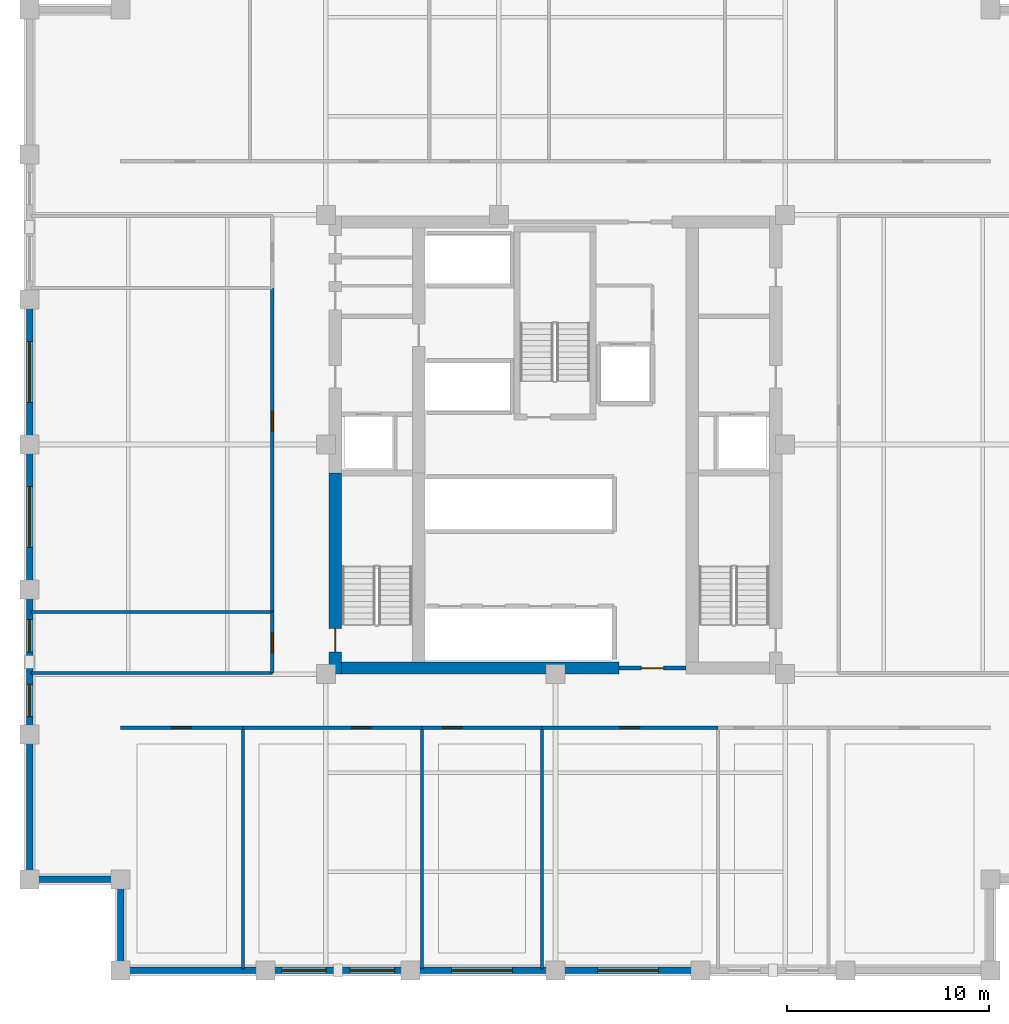
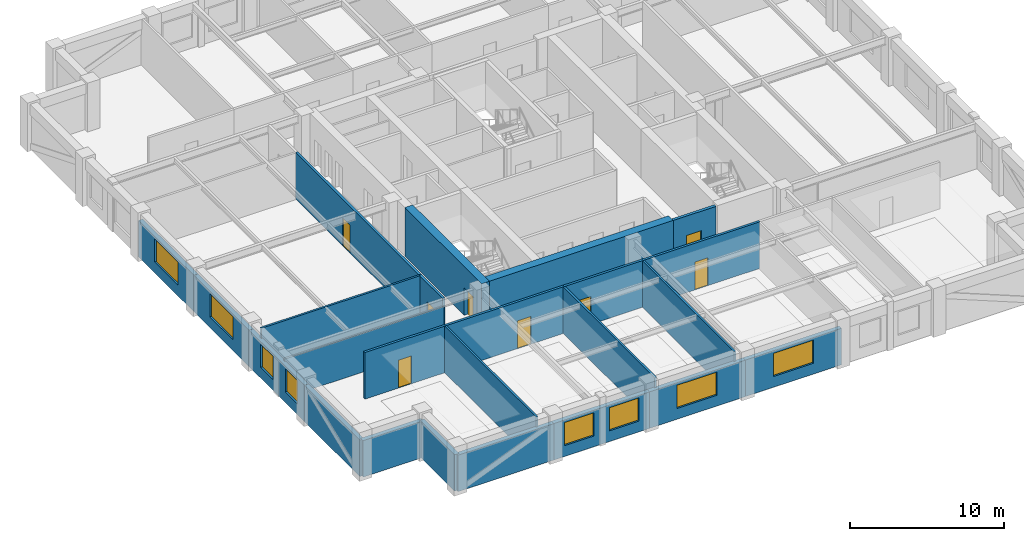
# One storey, part 2 of 9: 24 walls, 8 doors, 8 windows, 16 openings.
"""IFC4 building model written with IfcOpenShell, lengths in metres."""

from ifc_helpers import new_model, si_unit, direction, frame, frame_2d, origin, place, context, subcontext, project, spatial, rectangle, extrude, material, layer, layer_set, type_object, element, fill, save


model = new_model("IFC4")

# Units and contexts
model_context = context("Model", 3, precision=1e-05, world=origin(), true_north=direction((0.0, 1.0)))
body_context = subcontext(model_context, "Body", "Model", "MODEL_VIEW")
ifc_project = project(units=[si_unit("LENGTHUNIT", "METRE"), si_unit("AREAUNIT", "SQUARE_METRE"), si_unit("VOLUMEUNIT", "CUBIC_METRE"), si_unit("PLANEANGLEUNIT", "RADIAN"), si_unit("MASSUNIT", "GRAM", prefix="KILO")], contexts=[model_context])

# Site, building, storey
site_placement = place(None, origin())
site = spatial("IfcSite", under=ifc_project, at=site_placement, CompositionType="ELEMENT")
building_placement = place(site_placement, origin())
building = spatial("IfcBuilding", under=site, at=building_placement, Name="Nhamokura Convention Tower", CompositionType="ELEMENT")
storey_placement = place(building_placement, frame((0.0, 0.0, 122.14990234375)))
storey = spatial("IfcBuildingStorey", under=building, at=storey_placement, Name="L29", CompositionType="ELEMENT", Elevation=122.14990234375)

# Wall
ifc_material_1 = material(Name="Bronze-pigmented precast concrete C45/55", Category="concrete")
ifc_layer_1 = layer(ifc_material_1, 0.320068359375)
ifc_layer_set_1 = layer_set([ifc_layer_1], Name="BronzePrecastSpandrel_320")
wall_type_1 = type_object("IfcWallType", Name="BronzePrecastSpandrel_320", PredefinedType="USERDEFINED", material=ifc_layer_set_1)
wall_1_placement = place(storey_placement, frame((17.666748046875, 6.0, 0.0), z_axis=(0.0, 0.0, 1.0), x_axis=(-1.0, 0.0, 0.0)))
element("IfcWall", 1, at=wall_1_placement, inside=storey, type_object=wall_type_1, Name="L29 Braced-Bay Precast Wall SOUTH 0", ObjectType="SPANDREL_WALL", PredefinedType="USERDEFINED", context=body_context, shape_type="SweptSolid", body=[
    extrude(rectangle(XDim=7.166748046875, YDim=0.320068359375, at=frame_2d((3.58349609375, 0.0))), origin(), (0.0, 0.0, 1.0), 2.885009765625),
])

# Wall, openings, windows
wall_2_placement = place(storey_placement, frame((24.833251953125, 6.0, 0.0), z_axis=(0.0, 0.0, 1.0), x_axis=(-1.0, 0.0, 0.0)))
wall_2 = element("IfcWall", 2, at=wall_2_placement, inside=storey, type_object=wall_type_1, Name="L29 Masonry-Frame Wall SOUTH 1", ObjectType="SPANDREL_WALL", PredefinedType="USERDEFINED", context=body_context, shape_type="SweptSolid", body=[
    extrude(rectangle(XDim=7.16650390625, YDim=0.320068359375, at=frame_2d((3.583251953125, 0.0))), origin(), (0.0, 0.0, 1.0), 2.885009765625),
])
opening_1_placement = place(wall_2_placement, frame((0.791748046875, 0.0, 0.85009765625)))
opening_1 = element("IfcOpeningElement", 3, at=opening_1_placement, cuts=wall_2, Name="Opening W-06", PredefinedType="OPENING", context=body_context, shape_type="SweptSolid", body=[
    extrude(rectangle(XDim=2.199951171875, YDim=1.8349609375, at=frame_2d((1.10009765625, 0.91748046875))), frame((0.0, 0.169921875, 0.0), z_axis=(0.0, -1.0, 0.0), x_axis=(1.0, 0.0, 0.0)), (0.0, 0.0, 1.0), 0.340087890625),
])
opening_2_placement = place(wall_2_placement, frame((4.175048828125, 0.0, 0.85009765625)))
opening_2 = element("IfcOpeningElement", 4, at=opening_2_placement, cuts=wall_2, Name="Opening W-06", PredefinedType="OPENING", context=body_context, shape_type="SweptSolid", body=[
    extrude(rectangle(XDim=2.199951171875, YDim=1.8349609375, at=frame_2d((1.10009765625, 0.91748046875))), frame((0.0, 0.169921875, 0.0), z_axis=(0.0, -1.0, 0.0), x_axis=(1.0, 0.0, 0.0)), (0.0, 0.0, 1.0), 0.340087890625),
])
ifc_material_2 = material(Name="Solar-control bronze low-E double glass", Category="glass")
window_type_1 = type_object("IfcWindowType", Name="OfficeModuleWindow_Z2_2200", PartitioningType="SINGLE_PANEL", PredefinedType="WINDOW", material=ifc_material_2)
window_1_placement = place(opening_1_placement, origin())
window_1 = element("IfcWindow", 5, at=window_1_placement, inside=storey, type_object=window_type_1, Name="L29 Facade Window SOUTH 1-1", OverallHeight=1.8349609375, OverallWidth=2.199951171875, PartitioningType="SINGLE_PANEL", PredefinedType="WINDOW", context=body_context, shape_type="SweptSolid", body=[
    extrude(rectangle(XDim=2.199951171875, YDim=1.8349609375, at=frame_2d((1.10009765625, 0.91748046875))), frame((0.0, 0.030029296875, 0.0), z_axis=(0.0, -1.0, 0.0), x_axis=(1.0, 0.0, 0.0)), (0.0, 0.0, 1.0), 0.06005859375),
])
fill(opening_1, window_1)
window_2_placement = place(opening_2_placement, origin())
window_2 = element("IfcWindow", 6, at=window_2_placement, inside=storey, type_object=window_type_1, Name="L29 Facade Window SOUTH 1-2", OverallHeight=1.8349609375, OverallWidth=2.199951171875, PartitioningType="SINGLE_PANEL", PredefinedType="WINDOW", context=body_context, shape_type="SweptSolid", body=[
    extrude(rectangle(XDim=2.199951171875, YDim=1.8349609375, at=frame_2d((1.10009765625, 0.91748046875))), frame((0.0, 0.030029296875, 0.0), z_axis=(0.0, -1.0, 0.0), x_axis=(1.0, 0.0, 0.0)), (0.0, 0.0, 1.0), 0.06005859375),
])
fill(opening_2, window_2)

# Wall, opening, window
wall_3_placement = place(storey_placement, frame((32.0, 6.0, 0.0), z_axis=(0.0, 0.0, 1.0), x_axis=(-1.0, 0.0, 0.0)))
wall_3 = element("IfcWall", 7, at=wall_3_placement, inside=storey, type_object=wall_type_1, Name="L29 Masonry-Frame Wall SOUTH 2", ObjectType="SPANDREL_WALL", PredefinedType="USERDEFINED", context=body_context, shape_type="SweptSolid", body=[
    extrude(rectangle(XDim=7.166748046875, YDim=0.320068359375, at=frame_2d((3.58349609375, 0.0))), origin(), (0.0, 0.0, 1.0), 2.885009765625),
])
opening_3_placement = place(wall_3_placement, frame((2.13330078125, 0.0, 0.85009765625)))
opening_3 = element("IfcOpeningElement", 8, at=opening_3_placement, cuts=wall_3, Name="Opening W-05", PredefinedType="OPENING", context=body_context, shape_type="SweptSolid", body=[
    extrude(rectangle(XDim=3.0, YDim=1.8349609375, at=frame_2d((1.5, 0.91748046875))), frame((0.0, 0.169921875, 0.0), z_axis=(0.0, -1.0, 0.0), x_axis=(1.0, 0.0, 0.0)), (0.0, 0.0, 1.0), 0.340087890625),
])
ifc_material_3 = material(Name="Solar-control bronze low-E double glass", Category="glass")
window_type_2 = type_object("IfcWindowType", Name="OfficeModuleWindow_Z2_3000", PartitioningType="DOUBLE_PANEL_VERTICAL", PredefinedType="WINDOW", material=ifc_material_3)
window_3_placement = place(opening_3_placement, origin())
window_3 = element("IfcWindow", 9, at=window_3_placement, inside=storey, type_object=window_type_2, Name="L29 Facade Window SOUTH 2", OverallHeight=1.8349609375, OverallWidth=3.0, PartitioningType="SINGLE_PANEL", PredefinedType="WINDOW", context=body_context, shape_type="SweptSolid", body=[
    extrude(rectangle(XDim=3.0, YDim=1.8349609375, at=frame_2d((1.5, 0.91748046875))), frame((0.0, 0.030029296875, 0.0), z_axis=(0.0, -1.0, 0.0), x_axis=(1.0, 0.0, 0.0)), (0.0, 0.0, 1.0), 0.06005859375),
])
fill(opening_3, window_3)

wall_4_placement = place(storey_placement, frame((39.166748046875, 6.0, 0.0), z_axis=(0.0, 0.0, 1.0), x_axis=(-1.0, 0.0, 0.0)))
wall_4 = element("IfcWall", 10, at=wall_4_placement, inside=storey, type_object=wall_type_1, Name="L29 Masonry-Frame Wall SOUTH 3", ObjectType="SPANDREL_WALL", PredefinedType="USERDEFINED", context=body_context, shape_type="SweptSolid", body=[
    extrude(rectangle(XDim=7.166748046875, YDim=0.320068359375, at=frame_2d((3.58349609375, 0.0))), origin(), (0.0, 0.0, 1.0), 2.885009765625),
])
opening_4_placement = place(wall_4_placement, frame((2.083251953125, 0.0, 0.85009765625)))
opening_4 = element("IfcOpeningElement", 11, at=opening_4_placement, cuts=wall_4, Name="Opening W-05", PredefinedType="OPENING", context=body_context, shape_type="SweptSolid", body=[
    extrude(rectangle(XDim=3.0, YDim=1.8349609375, at=frame_2d((1.5, 0.91748046875))), frame((0.0, 0.169921875, 0.0), z_axis=(0.0, -1.0, 0.0), x_axis=(1.0, 0.0, 0.0)), (0.0, 0.0, 1.0), 0.340087890625),
])
window_4_placement = place(opening_4_placement, origin())
window_4 = element("IfcWindow", 12, at=window_4_placement, inside=storey, type_object=window_type_2, Name="L29 Facade Window SOUTH 3", OverallHeight=1.8349609375, OverallWidth=3.0, PartitioningType="SINGLE_PANEL", PredefinedType="WINDOW", context=body_context, shape_type="SweptSolid", body=[
    extrude(rectangle(XDim=3.0, YDim=1.8349609375, at=frame_2d((1.5, 0.91748046875))), frame((0.0, 0.030029296875, 0.0), z_axis=(0.0, -1.0, 0.0), x_axis=(1.0, 0.0, 0.0)), (0.0, 0.0, 1.0), 0.06005859375),
])
fill(opening_4, window_4)

# Wall
wall_5_placement = place(storey_placement, frame((6.0, 10.5, 0.0), z_axis=(0.0, 0.0, 1.0), x_axis=(0.0, 1.0, 0.0)))
element("IfcWall", 13, at=wall_5_placement, inside=storey, type_object=wall_type_1, Name="L29 Braced-Bay Precast Wall WEST 0", ObjectType="SPANDREL_WALL", PredefinedType="USERDEFINED", context=body_context, shape_type="SweptSolid", body=[
    extrude(rectangle(XDim=7.166748046875, YDim=0.320068359375, at=frame_2d((3.58349609375, 0.0))), origin(), (0.0, 0.0, 1.0), 2.885009765625),
])

# Wall, openings, windows
wall_6_placement = place(storey_placement, frame((6.0, 17.666748046875, 0.0), z_axis=(0.0, 0.0, 1.0), x_axis=(0.0, 1.0, 0.0)))
wall_6 = element("IfcWall", 14, at=wall_6_placement, inside=storey, type_object=wall_type_1, Name="L29 Masonry-Frame Wall WEST 1", ObjectType="SPANDREL_WALL", PredefinedType="USERDEFINED", context=body_context, shape_type="SweptSolid", body=[
    extrude(rectangle(XDim=7.16650390625, YDim=0.320068359375, at=frame_2d((3.583251953125, 0.0))), origin(), (0.0, 0.0, 1.0), 2.885009765625),
])
opening_5_placement = place(wall_6_placement, frame((0.879150390625, 0.0, 0.85009765625)))
opening_5 = element("IfcOpeningElement", 15, at=opening_5_placement, cuts=wall_6, Name="Opening W-11", PredefinedType="OPENING", context=body_context, shape_type="SweptSolid", body=[
    extrude(rectangle(XDim=1.60009765625, YDim=1.8349609375, at=frame_2d((0.800048828125, 0.91748046875))), frame((0.0, 0.169921875, 0.0), z_axis=(0.0, -1.0, 0.0), x_axis=(1.0, 0.0, 0.0)), (0.0, 0.0, 1.0), 0.340087890625),
])
opening_6_placement = place(wall_6_placement, frame((4.074951171875, 0.0, 0.85009765625)))
opening_6 = element("IfcOpeningElement", 16, at=opening_6_placement, cuts=wall_6, Name="Opening W-11", PredefinedType="OPENING", context=body_context, shape_type="SweptSolid", body=[
    extrude(rectangle(XDim=1.60009765625, YDim=1.8349609375, at=frame_2d((0.800048828125, 0.91748046875))), frame((0.0, 0.169921875, 0.0), z_axis=(0.0, -1.0, 0.0), x_axis=(1.0, 0.0, 0.0)), (0.0, 0.0, 1.0), 0.340087890625),
])
ifc_material_4 = material(Name="Solar-control bronze low-E double glass", Category="glass")
window_type_3 = type_object("IfcWindowType", Name="NotchCornerWindow_1600", PartitioningType="SINGLE_PANEL", PredefinedType="WINDOW", material=ifc_material_4)
window_5_placement = place(opening_5_placement, origin())
window_5 = element("IfcWindow", 17, at=window_5_placement, inside=storey, type_object=window_type_3, Name="L29 Facade Window WEST 1-1", OverallHeight=1.8349609375, OverallWidth=1.60009765625, PartitioningType="SINGLE_PANEL", PredefinedType="WINDOW", context=body_context, shape_type="SweptSolid", body=[
    extrude(rectangle(XDim=1.60009765625, YDim=1.8349609375, at=frame_2d((0.800048828125, 0.91748046875))), frame((0.0, 0.030029296875, 0.0), z_axis=(0.0, -1.0, 0.0), x_axis=(1.0, 0.0, 0.0)), (0.0, 0.0, 1.0), 0.06005859375),
])
fill(opening_5, window_5)
window_6_placement = place(opening_6_placement, origin())
window_6 = element("IfcWindow", 18, at=window_6_placement, inside=storey, type_object=window_type_3, Name="L29 Facade Window WEST 1-2", OverallHeight=1.8349609375, OverallWidth=1.60009765625, PartitioningType="SINGLE_PANEL", PredefinedType="WINDOW", context=body_context, shape_type="SweptSolid", body=[
    extrude(rectangle(XDim=1.60009765625, YDim=1.8349609375, at=frame_2d((0.800048828125, 0.91748046875))), frame((0.0, 0.030029296875, 0.0), z_axis=(0.0, -1.0, 0.0), x_axis=(1.0, 0.0, 0.0)), (0.0, 0.0, 1.0), 0.06005859375),
])
fill(opening_6, window_6)

# Wall, opening, window
wall_7_placement = place(storey_placement, frame((6.0, 24.833251953125, 0.0), z_axis=(0.0, 0.0, 1.0), x_axis=(0.0, 1.0, 0.0)))
wall_7 = element("IfcWall", 19, at=wall_7_placement, inside=storey, type_object=wall_type_1, Name="L29 Masonry-Frame Wall WEST 2", ObjectType="SPANDREL_WALL", PredefinedType="USERDEFINED", context=body_context, shape_type="SweptSolid", body=[
    extrude(rectangle(XDim=7.166748046875, YDim=0.320068359375, at=frame_2d((3.58349609375, 0.0))), origin(), (0.0, 0.0, 1.0), 2.885009765625),
])
opening_7_placement = place(wall_7_placement, frame((2.083251953125, 0.0, 0.85009765625)))
opening_7 = element("IfcOpeningElement", 20, at=opening_7_placement, cuts=wall_7, Name="Opening W-05", PredefinedType="OPENING", context=body_context, shape_type="SweptSolid", body=[
    extrude(rectangle(XDim=3.0, YDim=1.8349609375, at=frame_2d((1.5, 0.91748046875))), frame((0.0, 0.169921875, 0.0), z_axis=(0.0, -1.0, 0.0), x_axis=(1.0, 0.0, 0.0)), (0.0, 0.0, 1.0), 0.340087890625),
])
window_7_placement = place(opening_7_placement, origin())
window_7 = element("IfcWindow", 21, at=window_7_placement, inside=storey, type_object=window_type_2, Name="L29 Facade Window WEST 2", OverallHeight=1.8349609375, OverallWidth=3.0, PartitioningType="SINGLE_PANEL", PredefinedType="WINDOW", context=body_context, shape_type="SweptSolid", body=[
    extrude(rectangle(XDim=3.0, YDim=1.8349609375, at=frame_2d((1.5, 0.91748046875))), frame((0.0, 0.030029296875, 0.0), z_axis=(0.0, -1.0, 0.0), x_axis=(1.0, 0.0, 0.0)), (0.0, 0.0, 1.0), 0.06005859375),
])
fill(opening_7, window_7)

wall_8_placement = place(storey_placement, frame((6.0, 32.0, 0.0), z_axis=(0.0, 0.0, 1.0), x_axis=(0.0, 1.0, 0.0)))
wall_8 = element("IfcWall", 22, at=wall_8_placement, inside=storey, type_object=wall_type_1, Name="L29 Masonry-Frame Wall WEST 3", ObjectType="SPANDREL_WALL", PredefinedType="USERDEFINED", context=body_context, shape_type="SweptSolid", body=[
    extrude(rectangle(XDim=7.166748046875, YDim=0.320068359375, at=frame_2d((3.58349609375, 0.0))), origin(), (0.0, 0.0, 1.0), 2.885009765625),
])
opening_8_placement = place(wall_8_placement, frame((2.083251953125, 0.0, 0.85009765625)))
opening_8 = element("IfcOpeningElement", 23, at=opening_8_placement, cuts=wall_8, Name="Opening W-05", PredefinedType="OPENING", context=body_context, shape_type="SweptSolid", body=[
    extrude(rectangle(XDim=3.0, YDim=1.8349609375, at=frame_2d((1.5, 0.91748046875))), frame((0.0, 0.169921875, 0.0), z_axis=(0.0, -1.0, 0.0), x_axis=(1.0, 0.0, 0.0)), (0.0, 0.0, 1.0), 0.340087890625),
])
window_8_placement = place(opening_8_placement, origin())
window_8 = element("IfcWindow", 24, at=window_8_placement, inside=storey, type_object=window_type_2, Name="L29 Facade Window WEST 3", OverallHeight=1.8349609375, OverallWidth=3.0, PartitioningType="SINGLE_PANEL", PredefinedType="WINDOW", context=body_context, shape_type="SweptSolid", body=[
    extrude(rectangle(XDim=3.0, YDim=1.8349609375, at=frame_2d((1.5, 0.91748046875))), frame((0.0, 0.030029296875, 0.0), z_axis=(0.0, -1.0, 0.0), x_axis=(1.0, 0.0, 0.0)), (0.0, 0.0, 1.0), 0.06005859375),
])
fill(opening_8, window_8)

# Walls
for number, where, z_axis, x_axis, name in (
    (25, (10.5, 6.0, 0.0), (0.0, 0.0, 1.0), (0.0, 1.0, 0.0), "L29 Notched Corner Wall SW1"),
    (26, (10.5, 10.5, 0.0), (0.0, 0.0, 1.0), (-1.0, 0.0, 0.0), "L29 Notched Corner Wall SW2"),
):
    element("IfcWall", number, at=place(storey_placement, frame(where, z_axis=z_axis, x_axis=x_axis)), inside=storey, type_object=wall_type_1, Name=name, ObjectType="SPANDREL_WALL", PredefinedType="USERDEFINED", context=body_context, shape_type="SweptSolid", body=[
        extrude(rectangle(XDim=4.5, YDim=0.320068359375, at=frame_2d((2.25, 0.0))), origin(), (0.0, 0.0, 1.0), 2.885009765625),
    ])

# Wall, opening, door
ifc_material_5 = material(Name="Concrete C60/75", Category="concrete")
ifc_layer_2 = layer(ifc_material_5, 0.60009765625)
ifc_layer_set_2 = layer_set([ifc_layer_2], Name="CoreShearWall_600")
wall_type_2 = type_object("IfcWallType", Name="CoreShearWall_600", PredefinedType="SHEAR", material=ifc_layer_set_2)
wall_9_placement = place(storey_placement, frame((21.110107421875, 20.64990234375, 0.0), z_axis=(0.0, 0.0, 1.0), x_axis=(0.0, 1.0, 0.0)))
wall_9 = element("IfcWall", 27, at=wall_9_placement, inside=storey, type_object=wall_type_2, Name="L29 Core Shear Wall CW-WS", PredefinedType="SHEAR", context=body_context, shape_type="SweptSolid", body=[
    extrude(rectangle(XDim=9.9501953125, YDim=0.60009765625, at=frame_2d((4.97509765625, 0.0))), origin(), (0.0, 0.0, 1.0), 3.85009765625),
])
opening_9_placement = place(wall_9_placement, frame((1.10009765625, 0.0, 0.0)))
opening_9 = element("IfcOpeningElement", 28, at=opening_9_placement, cuts=wall_9, Name="Opening D-04", PredefinedType="OPENING", context=body_context, shape_type="SweptSolid", body=[
    extrude(rectangle(XDim=1.14990234375, YDim=2.14990234375, at=frame_2d((0.574951171875, 1.074951171875))), frame((0.0, 0.31005859375, 0.0), z_axis=(0.0, -1.0, 0.0), x_axis=(1.0, 0.0, 0.0)), (0.0, 0.0, 1.0), 0.6201171875),
])
ifc_material_6 = material(Name="Fire-rated steel door", Category="steel")
door_type_1 = type_object("IfcDoorType", Name="StairSmokeDoor_1150", OperationType="NOTDEFINED", PredefinedType="DOOR", material=ifc_material_6)
door_1_placement = place(opening_9_placement, origin())
door_1 = element("IfcDoor", 29, at=door_1_placement, inside=storey, type_object=door_type_1, Name="L29 Core Door INT-L29-D-ST01", OperationType="SINGLE_SWING_LEFT", OverallHeight=2.14990234375, OverallWidth=1.14990234375, PredefinedType="DOOR", context=body_context, shape_type="SweptSolid", body=[
    extrude(rectangle(XDim=1.14990234375, YDim=2.14990234375, at=frame_2d((0.574951171875, 1.074951171875))), frame((0.0, 0.02490234375, 0.0), z_axis=(0.0, -1.0, 0.0), x_axis=(1.0, 0.0, 0.0)), (0.0, 0.0, 1.0), 0.050048828125),
])
fill(opening_9, door_1)

# Wall
wall_10_placement = place(storey_placement, frame((21.409912109375, 20.949951171875, 0.0), z_axis=(0.0, 0.0, 1.0), x_axis=(1.0, 0.0, 0.0)))
element("IfcWall", 30, at=wall_10_placement, inside=storey, type_object=wall_type_2, Name="L29 Core Shear Wall CW-S1", PredefinedType="SHEAR", context=body_context, shape_type="SweptSolid", body=[
    extrude(rectangle(XDim=13.739990234375, YDim=0.60009765625, at=frame_2d((6.8701171875, 0.0))), origin(), (0.0, 0.0, 1.0), 3.85009765625),
])

# Wall, opening, door
ifc_material_7 = material(Name="Fire-rated gypsum and masonry partition", Category="masonry")
ifc_layer_3 = layer(ifc_material_7, 0.179931640625)
ifc_layer_set_3 = layer_set([ifc_layer_3], Name="CorridorRatedWall_180")
wall_type_3 = type_object("IfcWallType", Name="CorridorRatedWall_180", PredefinedType="STANDARD", material=ifc_layer_set_3)
wall_11_placement = place(storey_placement, frame((10.5, 18.0, 0.0), z_axis=(0.0, 0.0, 1.0), x_axis=(1.0, 0.0, 0.0)))
wall_11 = element("IfcWall", 31, at=wall_11_placement, inside=storey, type_object=wall_type_3, Name="L29 Wall INT-L29-CW-S00", PredefinedType="STANDARD", context=body_context, shape_type="SweptSolid", body=[
    extrude(rectangle(XDim=6.041748046875, YDim=0.179931640625, at=frame_2d((3.02099609375, 0.0))), origin(), (0.0, 0.0, 1.0), 3.68505859375),
])
opening_10_placement = place(wall_11_placement, frame((2.520751953125, 0.0, 0.0)))
opening_10 = element("IfcOpeningElement", 32, at=opening_10_placement, cuts=wall_11, Name="Opening D-08", PredefinedType="OPENING", context=body_context, shape_type="SweptSolid", body=[
    extrude(rectangle(XDim=0.97998046875, YDim=2.199951171875, at=frame_2d((0.489990234375, 1.10009765625))), frame((0.0, 0.099853515625, 0.0), z_axis=(0.0, -1.0, 0.0), x_axis=(1.0, 0.0, 0.0)), (0.0, 0.0, 1.0), 0.199951171875),
])
ifc_material_8 = material(Name="Solid oak hardwood", Category="wood")
door_type_2 = type_object("IfcDoorType", Name="OfficeEntryDoor_980", OperationType="NOTDEFINED", PredefinedType="DOOR", material=ifc_material_8)
door_2_placement = place(opening_10_placement, origin())
door_2 = element("IfcDoor", 33, at=door_2_placement, inside=storey, type_object=door_type_2, Name="L29 Private Office S01 Door", OperationType="SINGLE_SWING_LEFT", OverallHeight=2.199951171875, OverallWidth=0.97998046875, PredefinedType="DOOR", context=body_context, shape_type="SweptSolid", body=[
    extrude(rectangle(XDim=0.97998046875, YDim=2.199951171875, at=frame_2d((0.489990234375, 1.10009765625))), frame((0.0, 0.02490234375, 0.0), z_axis=(0.0, -1.0, 0.0), x_axis=(1.0, 0.0, 0.0)), (0.0, 0.0, 1.0), 0.050048828125),
])
fill(opening_10, door_2)

wall_12_placement = place(storey_placement, frame((16.541748046875, 18.0, 0.0), z_axis=(0.0, 0.0, 1.0), x_axis=(1.0, 0.0, 0.0)))
wall_12 = element("IfcWall", 34, at=wall_12_placement, inside=storey, type_object=wall_type_3, Name="L29 Wall INT-L29-CW-S01", PredefinedType="STANDARD", context=body_context, shape_type="SweptSolid", body=[
    extrude(rectangle(XDim=8.866455078125, YDim=0.179931640625, at=frame_2d((4.43310546875, 0.0))), origin(), (0.0, 0.0, 1.0), 3.68505859375),
])
opening_11_placement = place(wall_12_placement, frame((5.38330078125, 0.0, 0.0)))
opening_11 = element("IfcOpeningElement", 35, at=opening_11_placement, cuts=wall_12, Name="Opening D-08", PredefinedType="OPENING", context=body_context, shape_type="SweptSolid", body=[
    extrude(rectangle(XDim=0.97998046875, YDim=2.199951171875, at=frame_2d((0.489990234375, 1.10009765625))), frame((0.0, 0.099853515625, 0.0), z_axis=(0.0, -1.0, 0.0), x_axis=(1.0, 0.0, 0.0)), (0.0, 0.0, 1.0), 0.199951171875),
])
door_3_placement = place(opening_11_placement, origin())
door_3 = element("IfcDoor", 36, at=door_3_placement, inside=storey, type_object=door_type_2, Name="L29 Private Office S02 Door", OperationType="SINGLE_SWING_RIGHT", OverallHeight=2.199951171875, OverallWidth=0.97998046875, PredefinedType="DOOR", context=body_context, shape_type="SweptSolid", body=[
    extrude(rectangle(XDim=0.97998046875, YDim=2.199951171875, at=frame_2d((0.489990234375, 1.10009765625))), frame((0.0, 0.02490234375, 0.0), z_axis=(0.0, -1.0, 0.0), x_axis=(1.0, 0.0, 0.0)), (0.0, 0.0, 1.0), 0.050048828125),
])
fill(opening_11, door_3)

wall_13_placement = place(storey_placement, frame((25.408203125, 18.0, 0.0), z_axis=(0.0, 0.0, 1.0), x_axis=(1.0, 0.0, 0.0)))
wall_13 = element("IfcWall", 37, at=wall_13_placement, inside=storey, type_object=wall_type_3, Name="L29 Wall INT-L29-CW-S02", PredefinedType="STANDARD", context=body_context, shape_type="SweptSolid", body=[
    extrude(rectangle(XDim=5.916748046875, YDim=0.179931640625, at=frame_2d((2.95849609375, 0.0))), origin(), (0.0, 0.0, 1.0), 3.68505859375),
])
opening_12_placement = place(wall_13_placement, frame((1.00830078125, 0.0, 0.0)))
opening_12 = element("IfcOpeningElement", 38, at=opening_12_placement, cuts=wall_13, Name="Opening D-08", PredefinedType="OPENING", context=body_context, shape_type="SweptSolid", body=[
    extrude(rectangle(XDim=0.97998046875, YDim=2.199951171875, at=frame_2d((0.489990234375, 1.10009765625))), frame((0.0, 0.099853515625, 0.0), z_axis=(0.0, -1.0, 0.0), x_axis=(1.0, 0.0, 0.0)), (0.0, 0.0, 1.0), 0.199951171875),
])
door_4_placement = place(opening_12_placement, origin())
door_4 = element("IfcDoor", 39, at=door_4_placement, inside=storey, type_object=door_type_2, Name="L29 Private Office S03 Door", OperationType="SINGLE_SWING_LEFT", OverallHeight=2.199951171875, OverallWidth=0.97998046875, PredefinedType="DOOR", context=body_context, shape_type="SweptSolid", body=[
    extrude(rectangle(XDim=0.97998046875, YDim=2.199951171875, at=frame_2d((0.489990234375, 1.10009765625))), frame((0.0, 0.02490234375, 0.0), z_axis=(0.0, -1.0, 0.0), x_axis=(1.0, 0.0, 0.0)), (0.0, 0.0, 1.0), 0.050048828125),
])
fill(opening_12, door_4)

wall_14_placement = place(storey_placement, frame((31.324951171875, 18.0, 0.0), z_axis=(0.0, 0.0, 1.0), x_axis=(1.0, 0.0, 0.0)))
wall_14 = element("IfcWall", 40, at=wall_14_placement, inside=storey, type_object=wall_type_3, Name="L29 Wall INT-L29-CW-S03", PredefinedType="STANDARD", context=body_context, shape_type="SweptSolid", body=[
    extrude(rectangle(XDim=8.716796875, YDim=0.179931640625, at=frame_2d((4.3583984375, 0.0))), origin(), (0.0, 0.0, 1.0), 3.68505859375),
])
opening_13_placement = place(wall_14_placement, frame((3.8583984375, 0.0, 0.0)))
opening_13 = element("IfcOpeningElement", 41, at=opening_13_placement, cuts=wall_14, Name="Opening D-08", PredefinedType="OPENING", context=body_context, shape_type="SweptSolid", body=[
    extrude(rectangle(XDim=0.97998046875, YDim=2.199951171875, at=frame_2d((0.489990234375, 1.10009765625))), frame((0.0, 0.099853515625, 0.0), z_axis=(0.0, -1.0, 0.0), x_axis=(1.0, 0.0, 0.0)), (0.0, 0.0, 1.0), 0.199951171875),
])
door_5_placement = place(opening_13_placement, origin())
door_5 = element("IfcDoor", 42, at=door_5_placement, inside=storey, type_object=door_type_2, Name="L29 Private Office S04 Door", OperationType="SINGLE_SWING_RIGHT", OverallHeight=2.199951171875, OverallWidth=0.97998046875, PredefinedType="DOOR", context=body_context, shape_type="SweptSolid", body=[
    extrude(rectangle(XDim=0.97998046875, YDim=2.199951171875, at=frame_2d((0.489990234375, 1.10009765625))), frame((0.0, 0.02490234375, 0.0), z_axis=(0.0, -1.0, 0.0), x_axis=(1.0, 0.0, 0.0)), (0.0, 0.0, 1.0), 0.050048828125),
])
fill(opening_13, door_5)

wall_15_placement = place(storey_placement, frame((18.0, 20.699951171875, 0.0), z_axis=(0.0, 0.0, 1.0), x_axis=(0.0, 1.0, 0.0)))
wall_15 = element("IfcWall", 43, at=wall_15_placement, inside=storey, type_object=wall_type_3, Name="L29 Wall INT-L29-CW-W00", PredefinedType="STANDARD", context=body_context, shape_type="SweptSolid", body=[
    extrude(rectangle(XDim=3.00830078125, YDim=0.179931640625, at=frame_2d((1.504150390625, 0.0))), origin(), (0.0, 0.0, 1.0), 3.68505859375),
])
opening_14_placement = place(wall_15_placement, frame((1.004150390625, 0.0, 0.0)))
opening_14 = element("IfcOpeningElement", 44, at=opening_14_placement, cuts=wall_15, Name="Opening D-08", PredefinedType="OPENING", context=body_context, shape_type="SweptSolid", body=[
    extrude(rectangle(XDim=0.97998046875, YDim=2.199951171875, at=frame_2d((0.489990234375, 1.10009765625))), frame((0.0, 0.099853515625, 0.0), z_axis=(0.0, -1.0, 0.0), x_axis=(1.0, 0.0, 0.0)), (0.0, 0.0, 1.0), 0.199951171875),
])
door_6_placement = place(opening_14_placement, origin())
door_6 = element("IfcDoor", 45, at=door_6_placement, inside=storey, type_object=door_type_2, Name="L29 Meeting Room W01 Door", OperationType="SINGLE_SWING_LEFT", OverallHeight=2.199951171875, OverallWidth=0.97998046875, PredefinedType="DOOR", context=body_context, shape_type="SweptSolid", body=[
    extrude(rectangle(XDim=0.97998046875, YDim=2.199951171875, at=frame_2d((0.489990234375, 1.10009765625))), frame((0.0, 0.02490234375, 0.0), z_axis=(0.0, -1.0, 0.0), x_axis=(1.0, 0.0, 0.0)), (0.0, 0.0, 1.0), 0.050048828125),
])
fill(opening_14, door_6)

wall_16_placement = place(storey_placement, frame((18.0, 23.708251953125, 0.0), z_axis=(0.0, 0.0, 1.0), x_axis=(0.0, 1.0, 0.0)))
wall_16 = element("IfcWall", 46, at=wall_16_placement, inside=storey, type_object=wall_type_3, Name="L29 Wall INT-L29-CW-W01", PredefinedType="STANDARD", context=body_context, shape_type="SweptSolid", body=[
    extrude(rectangle(XDim=16.033447265625, YDim=0.179931640625, at=frame_2d((8.0166015625, 0.0))), origin(), (0.0, 0.0, 1.0), 3.68505859375),
])
opening_15_placement = place(wall_16_placement, frame((8.966796875, 0.0, 0.0)))
opening_15 = element("IfcOpeningElement", 47, at=opening_15_placement, cuts=wall_16, Name="Opening D-08", PredefinedType="OPENING", context=body_context, shape_type="SweptSolid", body=[
    extrude(rectangle(XDim=0.97998046875, YDim=2.199951171875, at=frame_2d((0.489990234375, 1.10009765625))), frame((0.0, 0.099853515625, 0.0), z_axis=(0.0, -1.0, 0.0), x_axis=(1.0, 0.0, 0.0)), (0.0, 0.0, 1.0), 0.199951171875),
])
door_7_placement = place(opening_15_placement, origin())
door_7 = element("IfcDoor", 48, at=door_7_placement, inside=storey, type_object=door_type_2, Name="L29 Private Office W02 Door", OperationType="SINGLE_SWING_RIGHT", OverallHeight=2.199951171875, OverallWidth=0.97998046875, PredefinedType="DOOR", context=body_context, shape_type="SweptSolid", body=[
    extrude(rectangle(XDim=0.97998046875, YDim=2.199951171875, at=frame_2d((0.489990234375, 1.10009765625))), frame((0.0, 0.02490234375, 0.0), z_axis=(0.0, -1.0, 0.0), x_axis=(1.0, 0.0, 0.0)), (0.0, 0.0, 1.0), 0.050048828125),
])
fill(opening_15, door_7)

ifc_material_9 = material(Name="Autoclaved concrete blockwork", Category="masonry")
ifc_layer_4 = layer(ifc_material_9, 0.219970703125)
ifc_layer_set_4 = layer_set([ifc_layer_4], Name="FireLobbyWall_220")
wall_type_4 = type_object("IfcWallType", Name="FireLobbyWall_220", PredefinedType="STANDARD", material=ifc_layer_set_4)
wall_17_placement = place(storey_placement, frame((35.14990234375, 20.949951171875, 0.0), z_axis=(0.0, 0.0, 1.0), x_axis=(1.0, 0.0, 0.0)))
wall_17 = element("IfcWall", 49, at=wall_17_placement, inside=storey, type_object=wall_type_4, Name="L29 Wall INT-L29-SPORT-S", PredefinedType="STANDARD", context=body_context, shape_type="SweptSolid", body=[
    extrude(rectangle(XDim=3.300048828125, YDim=0.219970703125, at=frame_2d((1.64990234375, 0.0))), origin(), (0.0, 0.0, 1.0), 3.68505859375),
])
opening_16_placement = place(wall_17_placement, frame((1.10009765625, 0.0, 0.0)))
opening_16 = element("IfcOpeningElement", 50, at=opening_16_placement, cuts=wall_17, Name="Opening D-05", PredefinedType="OPENING", context=body_context, shape_type="SweptSolid", body=[
    extrude(rectangle(XDim=1.10009765625, YDim=2.14990234375, at=frame_2d((0.550048828125, 1.074951171875))), frame((0.0, 0.119873046875, 0.0), z_axis=(0.0, -1.0, 0.0), x_axis=(1.0, 0.0, 0.0)), (0.0, 0.0, 1.0), 0.239990234375),
])
ifc_material_10 = material(Name="Fire-rated steel door", Category="steel")
door_type_3 = type_object("IfcDoorType", Name="FireLobbyDoor_1100", OperationType="NOTDEFINED", PredefinedType="DOOR", material=ifc_material_10)
door_8_placement = place(opening_16_placement, origin())
door_8 = element("IfcDoor", 51, at=door_8_placement, inside=storey, type_object=door_type_3, Name="L29 South Core Lobby Portal Door", OperationType="SINGLE_SWING_LEFT", OverallHeight=2.14990234375, OverallWidth=1.10009765625, PredefinedType="DOOR", context=body_context, shape_type="SweptSolid", body=[
    extrude(rectangle(XDim=1.10009765625, YDim=2.14990234375, at=frame_2d((0.550048828125, 1.074951171875))), frame((0.0, 0.02490234375, 0.0), z_axis=(0.0, -1.0, 0.0), x_axis=(1.0, 0.0, 0.0)), (0.0, 0.0, 1.0), 0.050048828125),
])
fill(opening_16, door_8)

# Walls
ifc_material_11 = material(Name="Acoustic gypsum stud partition", Category="masonry")
ifc_layer_5 = layer(ifc_material_11, 0.14990234375)
ifc_layer_set_5 = layer_set([ifc_layer_5], Name="InteriorPartition_150")
wall_type_5 = type_object("IfcWallType", Name="InteriorPartition_150", PredefinedType="STANDARD", material=ifc_layer_set_5)
for number, where, z_axis, x_axis, name in (
    (52, (16.541748046875, 6.06005859375, 0.0), (0.0, 0.0, 1.0), (0.0, 1.0, 0.0), "L29 Wall INT-L29-RW-S01"),
    (53, (25.408203125, 6.06005859375, 0.0), (0.0, 0.0, 1.0), (0.0, 1.0, 0.0), "L29 Wall INT-L29-RW-S02"),
    (54, (31.324951171875, 6.06005859375, 0.0), (0.0, 0.0, 1.0), (0.0, 1.0, 0.0), "L29 Wall INT-L29-RW-S03"),
):
    element("IfcWall", number, at=place(storey_placement, frame(where, z_axis=z_axis, x_axis=x_axis)), inside=storey, type_object=wall_type_5, Name=name, PredefinedType="STANDARD", context=body_context, shape_type="SweptSolid", body=[
        extrude(rectangle(XDim=11.93994140625, YDim=0.14990234375, at=frame_2d((5.969970703125, 0.0))), origin(), (0.0, 0.0, 1.0), 3.68505859375),
    ])
wall_18_placement = place(storey_placement, frame((6.06005859375, 20.699951171875, 0.0), z_axis=(0.0, 0.0, 1.0), x_axis=(1.0, 0.0, 0.0)))
element("IfcWall", 55, at=wall_18_placement, inside=storey, type_object=wall_type_5, Name="L29 Wall INT-L29-RWB-W", PredefinedType="STANDARD", context=body_context, shape_type="SweptSolid", body=[
    extrude(rectangle(XDim=11.93994140625, YDim=0.14990234375, at=frame_2d((5.969970703125, 0.0))), origin(), (0.0, 0.0, 1.0), 3.065185546875),
])
wall_19_placement = place(storey_placement, frame((6.06005859375, 23.708251953125, 0.0), z_axis=(0.0, 0.0, 1.0), x_axis=(1.0, 0.0, 0.0)))
element("IfcWall", 56, at=wall_19_placement, inside=storey, type_object=wall_type_5, Name="L29 Wall INT-L29-RW-W01", PredefinedType="STANDARD", context=body_context, shape_type="SweptSolid", body=[
    extrude(rectangle(XDim=11.93994140625, YDim=0.14990234375, at=frame_2d((5.969970703125, 0.0))), origin(), (0.0, 0.0, 1.0), 3.68505859375),
])

save(model, "model.ifc")
